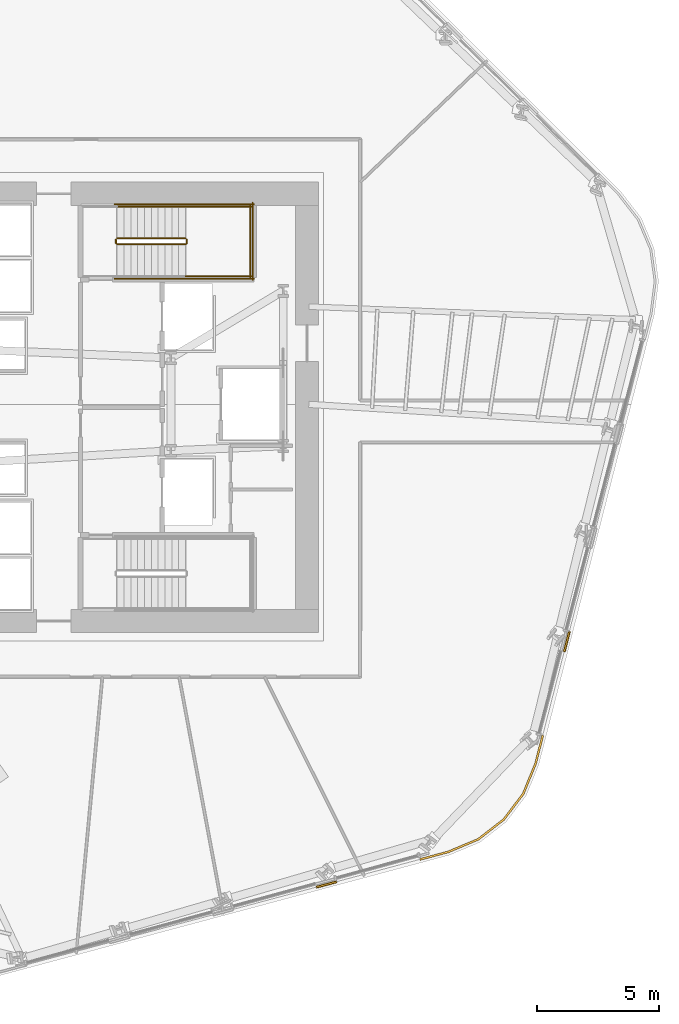
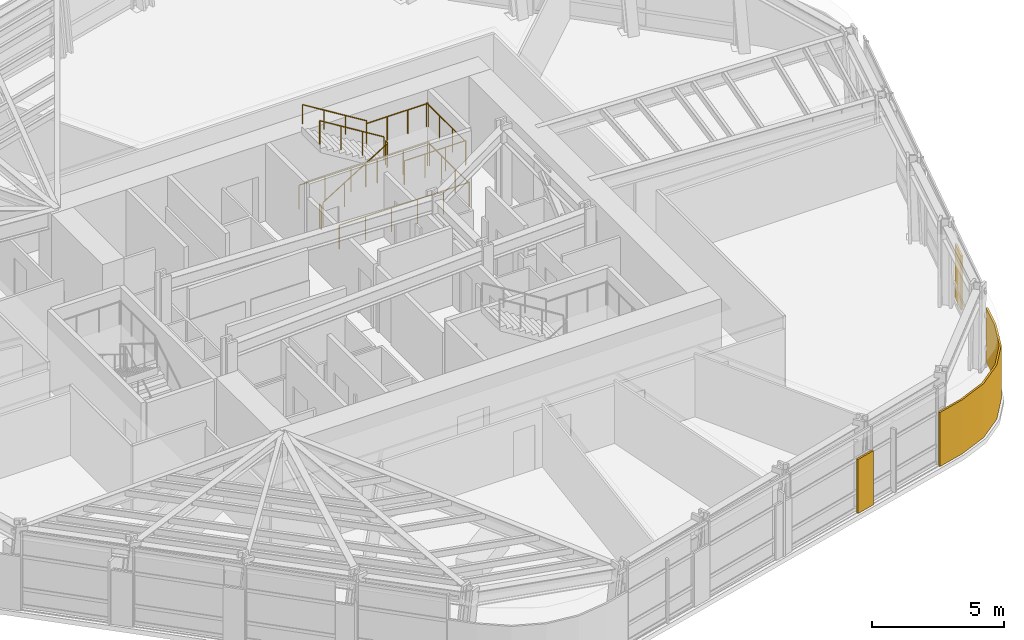
# One storey, part 14 of 16: 11 railings, 3 coverings.
"""IFC4 building model written with IfcOpenShell, lengths in metres."""

from ifc_helpers import new_model, si_unit, direction, frame, origin, origin_2d, place, context, subcontext, project, spatial, polyline, circle, outline, extrude, material, layer, layer_set, type_object, element, save


model = new_model("IFC4")

# Units and contexts
model_context = context("Model", 3, precision=1e-05, world=origin(), true_north=direction((0.0, 1.0)))
body_context = subcontext(model_context, "Body", "Model", "MODEL_VIEW")
ifc_project = project(units=[si_unit("LENGTHUNIT", "METRE"), si_unit("AREAUNIT", "SQUARE_METRE"), si_unit("VOLUMEUNIT", "CUBIC_METRE"), si_unit("PLANEANGLEUNIT", "RADIAN"), si_unit("MASSUNIT", "GRAM", prefix="KILO")], contexts=[model_context])

# Site, building, storey
site_placement = place(None, origin())
site = spatial("IfcSite", under=ifc_project, at=site_placement, CompositionType="ELEMENT")
building_placement = place(site_placement, origin())
building = spatial("IfcBuilding", under=site, at=building_placement, Name="Valkerne Bourse Tower", CompositionType="ELEMENT")
storey_placement = place(building_placement, frame((0.0, 0.0, 89.60009765625)))
storey = spatial("IfcBuildingStorey", under=building, at=storey_placement, Name="L22", CompositionType="ELEMENT", Elevation=89.60009765625)

# Coverings
ifc_material_1 = material(Name="Bronze Anodised Aluminium AA 6063-T6", Category="aluminium")
ifc_layer = layer(ifc_material_1, 0.06005859375)
ifc_layer_set = layer_set([ifc_layer], Name="Bronze Anodised Aluminium AA 6063-T6")
covering_type = type_object("IfcCoveringType", Name="COV-CRN-ALUM", PredefinedType="CLADDING", material=ifc_layer_set)
covering_1_placement = place(storey_placement, origin())
element("IfcCovering", 1, at=covering_1_placement, inside=storey, type_object=covering_type, Name="L22 Wind-Shaped Corner Aluminium Cladding 01", PredefinedType="CLADDING", context=body_context, shape_type="SweptSolid", body=[
    extrude(outline(polyline([(64.814208984375, 11.0302734375), (64.009521484375, 9.9697265625), (62.95751953125, 9.154052734375), (61.724609375, 8.635498046875), (60.561767578125, 8.32421875), (60.540771484375, 8.4013671875), (61.69873046875, 8.71142578125), (62.9169921875, 9.2236328125), (63.9521484375, 10.026611328125), (64.744140625, 11.0703125), (65.243408203125, 12.293701171875), (65.54150390625, 13.454833984375), (65.618896484375, 13.4345703125), (65.319580078125, 12.2685546875), (64.814208984375, 11.0302734375)])), origin(), (0.0, 0.0, 1.0), 2.5),
])
covering_2_placement = place(storey_placement, origin())
element("IfcCovering", 2, at=covering_2_placement, inside=storey, type_object=covering_type, Name="L22 Wind-Shaped Corner Aluminium Cladding 02", PredefinedType="CLADDING", context=body_context, shape_type="SweptSolid", body=[
    extrude(outline(polyline([(56.327880859375, 7.18994140625), (56.306884765625, 7.26708984375), (57.1181640625, 7.484619140625), (57.139404296875, 7.4072265625), (56.327880859375, 7.18994140625)])), origin(), (0.0, 0.0, 1.0), 2.5),
])
covering_3_placement = place(storey_placement, origin())
element("IfcCovering", 3, at=covering_3_placement, inside=storey, type_object=covering_type, Name="L22 Wind-Shaped Corner Aluminium Cladding 24", PredefinedType="CLADDING", context=body_context, shape_type="SweptSolid", body=[
    extrude(outline(polyline([(66.499755859375, 16.8662109375), (66.42236328125, 16.88671875), (66.63134765625, 17.7001953125), (66.708740234375, 17.679931640625), (66.499755859375, 16.8662109375)])), origin(), (0.0, 0.0, 1.0), 2.5),
])

# Railings
ifc_material_2 = material(Name="Galvanised Painted Steel", Category="steel")
railing_type_1 = type_object("IfcRailingType", Name="RLG-ST-GUARD-1120", PredefinedType="GUARDRAIL", material=ifc_material_2)
railing_1_placement = place(storey_placement, frame((48.14990234375, 33.550048828125, 0.172607421875)))
element("IfcRailing", 4, at=railing_1_placement, inside=storey, type_object=railing_type_1, Name="L22 ST-2 stair guard 1", PredefinedType="GUARDRAIL", context=body_context, shape_type="SweptSolid", body=[
    extrude(circle(Radius=0.02392578125, at=origin_2d()), frame((0.0, 0.0, 1.09619140625), z_axis=(0.851089632645, 0.0, 0.525020415988), x_axis=(0.0, 1.0, 0.0)), (0.0, 0.0, 1.0), 3.2900390625),
    extrude(circle(Radius=0.02099609375, at=origin_2d()), origin(), (0.0, 0.0, 1.0), 1.072021484375),
    extrude(circle(Radius=0.02099609375, at=origin_2d()), frame((0.933349609375, 0.0, 0.57568359375)), (0.0, 0.0, 1.0), 1.072021484375),
    extrude(circle(Radius=0.02099609375, at=origin_2d()), frame((1.86669921875, 0.0, 1.151611328125)), (0.0, 0.0, 1.0), 1.072021484375),
    extrude(circle(Radius=0.02099609375, at=origin_2d()), frame((2.800048828125, 0.0, 1.727294921875)), (0.0, 0.0, 1.0), 1.072021484375),
])
railing_2_placement = place(storey_placement, frame((51.0, 33.60009765625, 1.89990234375)))
element("IfcRailing", 5, at=railing_2_placement, inside=storey, type_object=railing_type_1, Name="L22 ST-2 stair guard 2", PredefinedType="GUARDRAIL", context=body_context, shape_type="SweptSolid", body=[
    extrude(circle(Radius=0.02392578125, at=origin_2d()), frame((0.0, 0.0, 1.09619140625), z_axis=(0.0, 1.0, 0.0), x_axis=(-1.0, 0.0, 0.0)), (0.0, 0.0, 1.0), 0.14990234375),
    extrude(circle(Radius=0.02099609375, at=origin_2d()), origin(), (0.0, 0.0, 1.0), 1.072021484375),
    extrude(circle(Radius=0.02099609375, at=origin_2d()), frame((0.0, 0.14990234375, 0.0)), (0.0, 0.0, 1.0), 1.072021484375),
])
for number, where, name in (
    (6, (50.949951171875, 32.25, 1.89990234375), "L22 ST-2 stair guard 3"),
    (7, (50.949951171875, 35.10009765625, 1.89990234375), "L22 ST-2 stair guard 4"),
):
    element("IfcRailing", number, at=place(storey_placement, frame(where)), inside=storey, type_object=railing_type_1, Name=name, PredefinedType="GUARDRAIL", context=body_context, shape_type="SweptSolid", body=[
        extrude(circle(Radius=0.02392578125, at=origin_2d()), frame((0.0, 0.0, 1.09619140625), z_axis=(1.0, 0.0, 0.0), x_axis=(0.0, 1.0, 0.0)), (0.0, 0.0, 1.0), 2.699951171875),
        extrude(circle(Radius=0.02099609375, at=origin_2d()), origin(), (0.0, 0.0, 1.0), 1.072021484375),
        extrude(circle(Radius=0.02099609375, at=origin_2d()), frame((0.89990234375, 0.0, 0.0)), (0.0, 0.0, 1.0), 1.072021484375),
        extrude(circle(Radius=0.02099609375, at=origin_2d()), frame((1.800048828125, 0.0, 0.0)), (0.0, 0.0, 1.0), 1.072021484375),
        extrude(circle(Radius=0.02099609375, at=origin_2d()), frame((2.699951171875, 0.0, 0.0)), (0.0, 0.0, 1.0), 1.072021484375),
    ])
railing_3_placement = place(storey_placement, frame((53.60009765625, 32.199951171875, 1.89990234375)))
element("IfcRailing", 8, at=railing_3_placement, inside=storey, type_object=railing_type_1, Name="L22 ST-2 stair guard 5", PredefinedType="GUARDRAIL", context=body_context, shape_type="SweptSolid", body=[
    extrude(circle(Radius=0.02392578125, at=origin_2d()), frame((0.0, 0.0, 1.09619140625), z_axis=(0.0, 1.0, 0.0), x_axis=(-1.0, 0.0, 0.0)), (0.0, 0.0, 1.0), 2.949951171875),
    extrude(circle(Radius=0.02099609375, at=origin_2d()), origin(), (0.0, 0.0, 1.0), 1.072021484375),
    extrude(circle(Radius=0.02099609375, at=origin_2d()), frame((0.0, 0.9833984375, 0.0)), (0.0, 0.0, 1.0), 1.072021484375),
    extrude(circle(Radius=0.02099609375, at=origin_2d()), frame((0.0, 1.966552734375, 0.0)), (0.0, 0.0, 1.0), 1.072021484375),
    extrude(circle(Radius=0.02099609375, at=origin_2d()), frame((0.0, 2.949951171875, 0.0)), (0.0, 0.0, 1.0), 1.072021484375),
])
railing_4_placement = place(storey_placement, frame((50.949951171875, 33.800048828125, 2.072509765625)))
element("IfcRailing", 9, at=railing_4_placement, inside=storey, type_object=railing_type_1, Name="L22 ST-2 stair guard 6", PredefinedType="GUARDRAIL", context=body_context, shape_type="SweptSolid", body=[
    extrude(circle(Radius=0.02392578125, at=origin_2d()), frame((0.0, 0.0, 1.09619140625), z_axis=(-0.851089632645, 0.0, 0.525020415988), x_axis=(0.0, -1.0, 0.0)), (0.0, 0.0, 1.0), 3.2900390625),
    extrude(circle(Radius=0.02099609375, at=origin_2d()), origin(), (0.0, 0.0, 1.0), 1.072021484375),
    extrude(circle(Radius=0.02099609375, at=origin_2d()), frame((-0.933349609375, 0.0, 0.57568359375)), (0.0, 0.0, 1.0), 1.072021484375),
    extrude(circle(Radius=0.02099609375, at=origin_2d()), frame((-1.86669921875, 0.0, 1.151611328125)), (0.0, 0.0, 1.0), 1.072021484375),
    extrude(circle(Radius=0.02099609375, at=origin_2d()), frame((-2.800048828125, 0.0, 1.727294921875)), (0.0, 0.0, 1.0), 1.072021484375),
])
railing_5_placement = place(storey_placement, frame((48.10009765625, 33.60009765625, 0.0)))
element("IfcRailing", 10, at=railing_5_placement, inside=storey, type_object=railing_type_1, Name="L22 ST-2 stair guard 7", PredefinedType="GUARDRAIL", context=body_context, shape_type="SweptSolid", body=[
    extrude(circle(Radius=0.02392578125, at=origin_2d()), frame((0.0, 0.0, 1.09619140625), z_axis=(0.0, 1.0, 0.0), x_axis=(-1.0, 0.0, 0.0)), (0.0, 0.0, 1.0), 0.14990234375),
    extrude(circle(Radius=0.02099609375, at=origin_2d()), origin(), (0.0, 0.0, 1.0), 1.072021484375),
    extrude(circle(Radius=0.02099609375, at=origin_2d()), frame((0.0, 0.14990234375, 0.0)), (0.0, 0.0, 1.0), 1.072021484375),
])
for number, where, name in (
    (11, (48.050048828125, 32.14990234375, 0.0), "L22 ST-2 stair guard 10"),
    (12, (48.050048828125, 35.199951171875, 0.0), "L22 ST-2 stair guard 11"),
):
    element("IfcRailing", number, at=place(storey_placement, frame(where)), inside=storey, type_object=railing_type_1, Name=name, PredefinedType="GUARDRAIL", context=body_context, shape_type="SweptSolid", body=[
        extrude(circle(Radius=0.02392578125, at=origin_2d()), frame((0.0, 0.0, 1.09619140625), z_axis=(1.0, 0.0, 0.0), x_axis=(0.0, 1.0, 0.0)), (0.0, 0.0, 1.0), 5.699951171875),
        extrude(circle(Radius=0.02099609375, at=origin_2d()), origin(), (0.0, 0.0, 1.0), 1.072021484375),
        extrude(circle(Radius=0.02099609375, at=origin_2d()), frame((1.139892578125, 0.0, 0.0)), (0.0, 0.0, 1.0), 1.072021484375),
        extrude(circle(Radius=0.02099609375, at=origin_2d()), frame((2.280029296875, 0.0, 0.0)), (0.0, 0.0, 1.0), 1.072021484375),
        extrude(circle(Radius=0.02099609375, at=origin_2d()), frame((3.419921875, 0.0, 0.0)), (0.0, 0.0, 1.0), 1.072021484375),
        extrude(circle(Radius=0.02099609375, at=origin_2d()), frame((4.56005859375, 0.0, 0.0)), (0.0, 0.0, 1.0), 1.072021484375),
        extrude(circle(Radius=0.02099609375, at=origin_2d()), frame((5.699951171875, 0.0, 0.0)), (0.0, 0.0, 1.0), 1.072021484375),
    ])
railing_6_placement = place(storey_placement, frame((53.699951171875, 32.10009765625, 0.0)))
element("IfcRailing", 13, at=railing_6_placement, inside=storey, type_object=railing_type_1, Name="L22 ST-2 stair guard 12", PredefinedType="GUARDRAIL", context=body_context, shape_type="SweptSolid", body=[
    extrude(circle(Radius=0.02392578125, at=origin_2d()), frame((0.0, 0.0, 1.09619140625), z_axis=(0.0, 1.0, 0.0), x_axis=(-1.0, 0.0, 0.0)), (0.0, 0.0, 1.0), 3.14990234375),
    extrude(circle(Radius=0.02099609375, at=origin_2d()), origin(), (0.0, 0.0, 1.0), 1.072021484375),
    extrude(circle(Radius=0.02099609375, at=origin_2d()), frame((0.0, 1.050048828125, 0.0)), (0.0, 0.0, 1.0), 1.072021484375),
    extrude(circle(Radius=0.02099609375, at=origin_2d()), frame((0.0, 2.099853515625, 0.0)), (0.0, 0.0, 1.0), 1.072021484375),
    extrude(circle(Radius=0.02099609375, at=origin_2d()), frame((0.0, 3.14990234375, 0.0)), (0.0, 0.0, 1.0), 1.072021484375),
])
ifc_material_3 = material(Name="Stainless Steel AISI 316", Category="steel")
railing_type_2 = type_object("IfcRailingType", Name="RLG-ST-HANDRAIL-900", PredefinedType="HANDRAIL", material=ifc_material_3)
railing_7_placement = place(storey_placement, frame((50.949951171875, 35.10009765625, 2.245361328125)))
element("IfcRailing", 14, at=railing_7_placement, inside=storey, type_object=railing_type_2, Name="L22 ST-2 stair handrail 2", PredefinedType="HANDRAIL", context=body_context, shape_type="SweptSolid", body=[
    extrude(circle(Radius=0.02392578125, at=origin_2d()), frame((0.0, 0.0, 0.8759765625), z_axis=(-0.851089632645, 0.0, 0.525020415988), x_axis=(0.0, -1.0, 0.0)), (0.0, 0.0, 1.0), 3.2900390625),
    extrude(circle(Radius=0.02099609375, at=origin_2d()), origin(), (0.0, 0.0, 1.0), 0.851806640625),
    extrude(circle(Radius=0.02099609375, at=origin_2d()), frame((-0.933349609375, 0.0, 0.57568359375)), (0.0, 0.0, 1.0), 0.851806640625),
    extrude(circle(Radius=0.02099609375, at=origin_2d()), frame((-1.86669921875, 0.0, 1.151611328125)), (0.0, 0.0, 1.0), 0.851806640625),
    extrude(circle(Radius=0.02099609375, at=origin_2d()), frame((-2.800048828125, 0.0, 1.727294921875)), (0.0, 0.0, 1.0), 0.851806640625),
])

save(model, "model.ifc")
